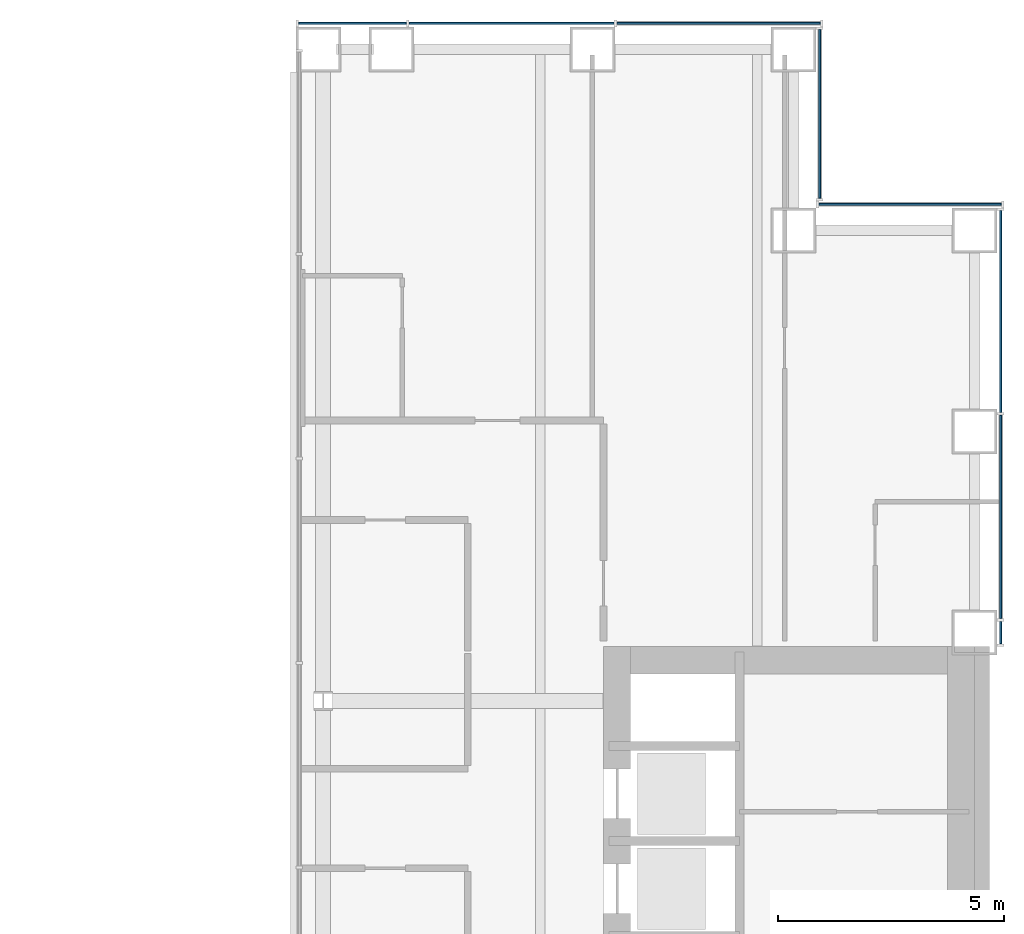
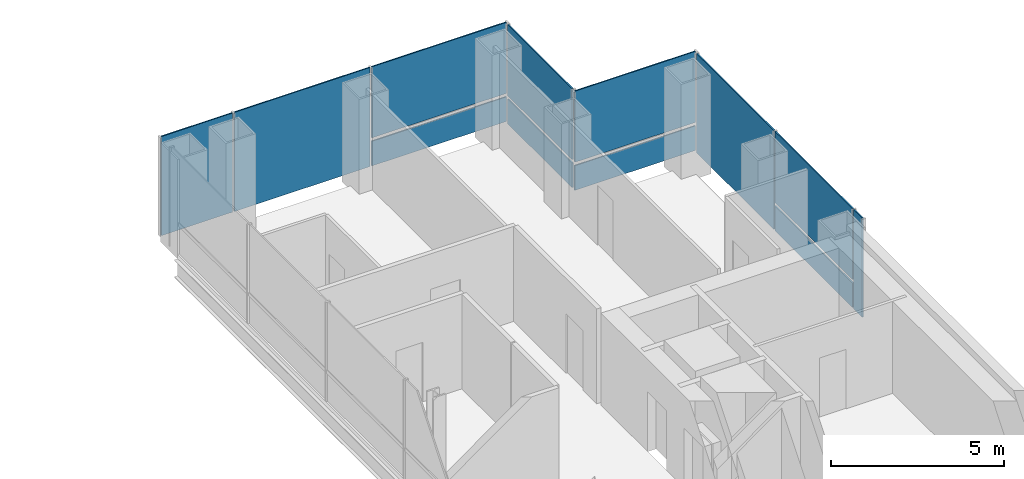
# One storey, part 12 of 18: 12 plates, 4 elements without a shape of their own.
"""IFC4 building model written with IfcOpenShell, lengths in metres."""

from ifc_helpers import new_model, si_unit, direction, frame, origin, origin_2d, place, context, subcontext, project, spatial, rectangle, extrude, material, layer, layer_set, type_object, element, aggregate, save


model = new_model("IFC4")

# Units and contexts
model_context = context("Model", 3, precision=1e-05, world=origin(), true_north=direction((0.0, 1.0)))
body_context = subcontext(model_context, "Body", "Model", "MODEL_VIEW")
ifc_project = project(units=[si_unit("LENGTHUNIT", "METRE"), si_unit("AREAUNIT", "SQUARE_METRE"), si_unit("VOLUMEUNIT", "CUBIC_METRE"), si_unit("PLANEANGLEUNIT", "RADIAN"), si_unit("MASSUNIT", "GRAM", prefix="KILO")], contexts=[model_context])

# Site, building, storey
site_placement = place(None, origin())
site = spatial("IfcSite", under=ifc_project, at=site_placement, CompositionType="ELEMENT")
building_placement = place(site_placement, origin())
building = spatial("IfcBuilding", under=site, at=building_placement, Name="Cobrizo Arcos Hotel Tower", CompositionType="ELEMENT")
storey_placement = place(building_placement, frame((0.0, 0.0, 77.5)))
storey = spatial("IfcBuildingStorey", under=building, at=storey_placement, Name="L18", CompositionType="ELEMENT", Elevation=77.5)

# Curtain wall, plate
ifc_material_1 = material(Name="Aluminium 6063-T6 anodised bronze", Category="aluminium")
curtain_wall_type = type_object("IfcCurtainWallType", Name="CW-A guest facade", PredefinedType="NOTDEFINED", material=ifc_material_1)
curtain_wall_1_placement = place(storey_placement, origin())
curtain_wall_1 = element("IfcCurtainWall", 1, at=curtain_wall_1_placement, inside=storey, type_object=curtain_wall_type, Name="CW-A L18 E face", PredefinedType="NOTDEFINED")
ifc_material_2 = material(Name="Glass clear laminated low-e", Category="glass")
ifc_layer_1 = layer(ifc_material_2, 0.0400390625)
ifc_layer_set_1 = layer_set([ifc_layer_1], Name="CW-A glass panel")
plate_type_1 = type_object("IfcPlateType", Name="CW-A glass panel", PredefinedType="CURTAIN_PANEL", material=ifc_layer_set_1)
plate_1_placement = place(storey_placement, frame((24.574951171875, 13.666748046875, 0.990234375), z_axis=(0.0, 0.0, 1.0), x_axis=(0.0, 1.0, 0.0)))
plate_1 = element("IfcPlate", 2, at=plate_1_placement, type_object=plate_type_1, Name="CW-A glass panel 761", PredefinedType="CURTAIN_PANEL", context=body_context, shape_type="SweptSolid", body=[
    extrude(rectangle(XDim=4.49560546875, YDim=0.0400390625, at=origin_2d()), origin(), (0.0, 0.0, 1.0), 2.510009765625),
])

curtain_wall_2_placement = place(storey_placement, origin())
curtain_wall_2 = element("IfcCurtainWall", 3, at=curtain_wall_2_placement, inside=storey, type_object=curtain_wall_type, Name="CW-A L18 N face", PredefinedType="NOTDEFINED")
plate_2_placement = place(storey_placement, frame((22.574951171875, 20.574951171875, 0.990234375), z_axis=(0.0, 0.0, 1.0), x_axis=(-1.0, 0.0, 0.0)))
plate_2 = element("IfcPlate", 4, at=plate_2_placement, type_object=plate_type_1, Name="CW-A glass panel 763", PredefinedType="CURTAIN_PANEL", context=body_context, shape_type="SweptSolid", body=[
    extrude(rectangle(XDim=4.030029296875, YDim=0.0400390625, at=origin_2d()), origin(), (0.0, 0.0, 1.0), 2.510009765625),
])

curtain_wall_3_placement = place(storey_placement, origin())
curtain_wall_3 = element("IfcCurtainWall", 5, at=curtain_wall_3_placement, inside=storey, type_object=curtain_wall_type, Name="CW-A L18 E face", PredefinedType="NOTDEFINED")
plate_3_placement = place(storey_placement, frame((20.574951171875, 22.574951171875, 0.990234375), z_axis=(0.0, 0.0, 1.0), x_axis=(0.0, 1.0, 0.0)))
plate_3 = element("IfcPlate", 6, at=plate_3_placement, type_object=plate_type_1, Name="CW-A glass panel 764", PredefinedType="CURTAIN_PANEL", context=body_context, shape_type="SweptSolid", body=[
    extrude(rectangle(XDim=3.72998046875, YDim=0.0400390625, at=origin_2d()), origin(), (0.0, 0.0, 1.0), 2.510009765625),
])

curtain_wall_4_placement = place(storey_placement, origin())
curtain_wall_4 = element("IfcCurtainWall", 7, at=curtain_wall_4_placement, inside=storey, type_object=curtain_wall_type, Name="CW-A L18 N face", PredefinedType="NOTDEFINED")
plate_4_placement = place(storey_placement, frame((18.340576171875, 24.574951171875, 0.990234375), z_axis=(0.0, 0.0, 1.0), x_axis=(-1.0, 0.0, 0.0)))
plate_4 = element("IfcPlate", 8, at=plate_4_placement, type_object=plate_type_1, Name="CW-A glass panel 765", PredefinedType="CURTAIN_PANEL", context=body_context, shape_type="SweptSolid", body=[
    extrude(rectangle(XDim=4.498779296875, YDim=0.0400390625, at=origin_2d()), origin(), (0.0, 0.0, 1.0), 2.510009765625),
])

# Plate
ifc_material_3 = material(Name="Aluminium composite panel pale metal", Category="aluminium")
ifc_layer_2 = layer(ifc_material_3, 0.0400390625)
ifc_layer_set_2 = layer_set([ifc_layer_2], Name="CW-A spandrel panel")
plate_type_2 = type_object("IfcPlateType", Name="CW-A spandrel panel", PredefinedType="CURTAIN_PANEL", material=ifc_layer_set_2)
plate_5_placement = place(storey_placement, frame((24.574951171875, 11.109375, 0.0), z_axis=(0.0, 0.0, 1.0), x_axis=(0.0, 1.0, 0.0)))
plate_5 = element("IfcPlate", 9, at=plate_5_placement, type_object=plate_type_2, Name="CW-A spandrel panel 760", PredefinedType="CURTAIN_PANEL", context=body_context, shape_type="SweptSolid", body=[
    extrude(rectangle(XDim=0.498779296875, YDim=0.0400390625, at=origin_2d()), origin(), (0.0, 0.0, 1.0), 3.5),
])

plate_6_placement = place(storey_placement, frame((24.574951171875, 13.666748046875, 0.0), z_axis=(0.0, 0.0, 1.0), x_axis=(0.0, 1.0, 0.0)))
plate_6 = element("IfcPlate", 10, at=plate_6_placement, type_object=plate_type_2, Name="CW-A spandrel panel 761", PredefinedType="CURTAIN_PANEL", context=body_context, shape_type="SweptSolid", body=[
    extrude(rectangle(XDim=4.49560546875, YDim=0.0400390625, at=origin_2d()), origin(), (0.0, 0.0, 1.0), 0.8701171875),
])

plate_7_placement = place(storey_placement, frame((24.574951171875, 18.207275390625, 0.0), z_axis=(0.0, 0.0, 1.0), x_axis=(0.0, 1.0, 0.0)))
plate_7 = element("IfcPlate", 11, at=plate_7_placement, type_object=plate_type_2, Name="CW-A spandrel panel 762", PredefinedType="CURTAIN_PANEL", context=body_context, shape_type="SweptSolid", body=[
    extrude(rectangle(XDim=4.465576171875, YDim=0.0400390625, at=origin_2d()), origin(), (0.0, 0.0, 1.0), 3.5),
])

aggregate(curtain_wall_1, [plate_5, plate_6, plate_1, plate_7])

plate_8_placement = place(storey_placement, frame((22.574951171875, 20.574951171875, 0.0), z_axis=(0.0, 0.0, 1.0), x_axis=(-1.0, 0.0, 0.0)))
plate_8 = element("IfcPlate", 12, at=plate_8_placement, type_object=plate_type_2, Name="CW-A spandrel panel 763", PredefinedType="CURTAIN_PANEL", context=body_context, shape_type="SweptSolid", body=[
    extrude(rectangle(XDim=4.030029296875, YDim=0.0400390625, at=origin_2d()), origin(), (0.0, 0.0, 1.0), 0.8701171875),
])

aggregate(curtain_wall_2, [plate_8, plate_2])

plate_9_placement = place(storey_placement, frame((20.574951171875, 22.574951171875, 0.0), z_axis=(0.0, 0.0, 1.0), x_axis=(0.0, 1.0, 0.0)))
plate_9 = element("IfcPlate", 13, at=plate_9_placement, type_object=plate_type_2, Name="CW-A spandrel panel 764", PredefinedType="CURTAIN_PANEL", context=body_context, shape_type="SweptSolid", body=[
    extrude(rectangle(XDim=3.72998046875, YDim=0.0400390625, at=origin_2d()), origin(), (0.0, 0.0, 1.0), 0.8701171875),
])

aggregate(curtain_wall_3, [plate_9, plate_3])

plate_10_placement = place(storey_placement, frame((18.340576171875, 24.574951171875, 0.0), z_axis=(0.0, 0.0, 1.0), x_axis=(-1.0, 0.0, 0.0)))
plate_10 = element("IfcPlate", 14, at=plate_10_placement, type_object=plate_type_2, Name="CW-A spandrel panel 765", PredefinedType="CURTAIN_PANEL", context=body_context, shape_type="SweptSolid", body=[
    extrude(rectangle(XDim=4.498779296875, YDim=0.0400390625, at=origin_2d()), origin(), (0.0, 0.0, 1.0), 0.8701171875),
])

plate_11_placement = place(storey_placement, frame((13.7666015625, 24.574951171875, 0.0), z_axis=(0.0, 0.0, 1.0), x_axis=(-1.0, 0.0, 0.0)))
plate_11 = element("IfcPlate", 15, at=plate_11_placement, type_object=plate_type_2, Name="CW-A spandrel panel 766", PredefinedType="CURTAIN_PANEL", context=body_context, shape_type="SweptSolid", body=[
    extrude(rectangle(XDim=4.52880859375, YDim=0.0400390625, at=origin_2d()), origin(), (0.0, 0.0, 1.0), 3.5),
])

plate_12_placement = place(storey_placement, frame((10.251220703125, 24.574951171875, 0.0), z_axis=(0.0, 0.0, 1.0), x_axis=(-1.0, 0.0, 0.0)))
plate_12 = element("IfcPlate", 16, at=plate_12_placement, type_object=plate_type_2, Name="CW-A spandrel panel 767", PredefinedType="CURTAIN_PANEL", context=body_context, shape_type="SweptSolid", body=[
    extrude(rectangle(XDim=2.38232421875, YDim=0.0400390625, at=origin_2d()), origin(), (0.0, 0.0, 1.0), 3.5),
])

aggregate(curtain_wall_4, [plate_10, plate_4, plate_11, plate_12])

save(model, "model.ifc")
